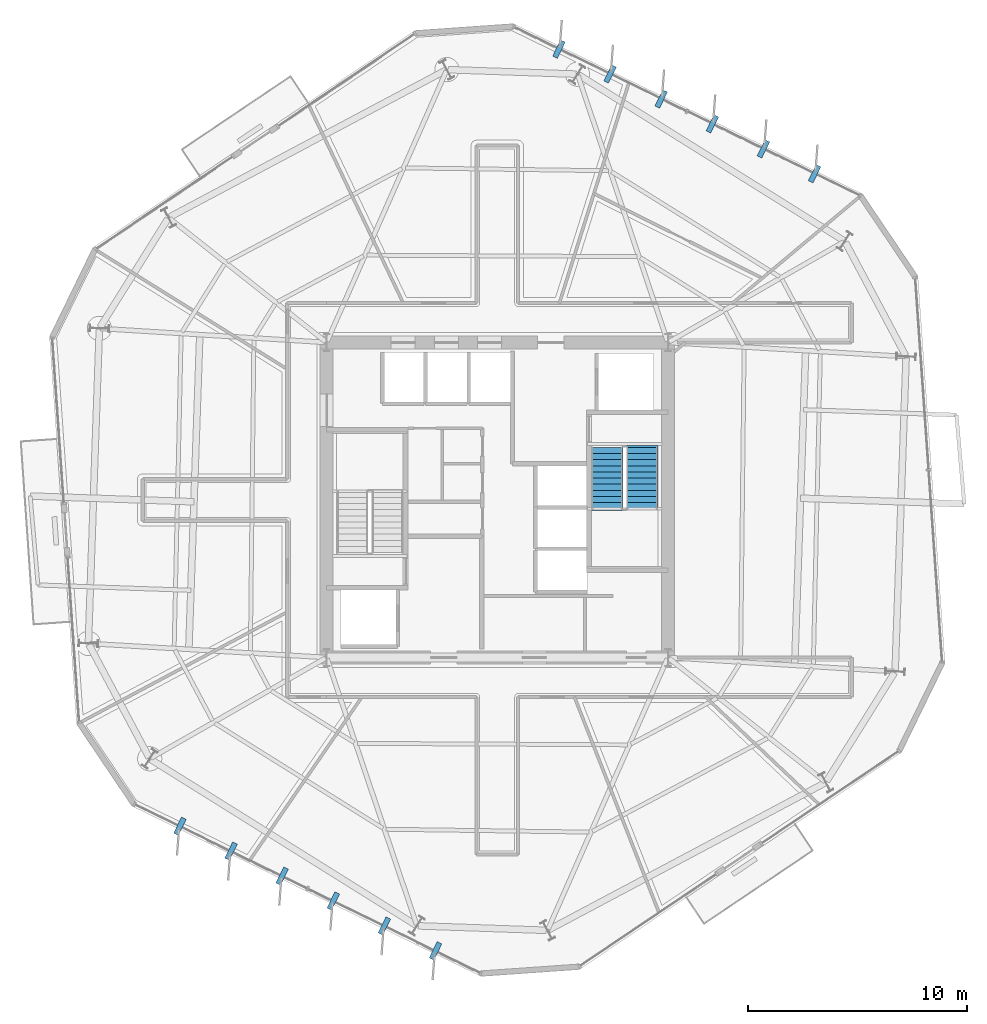
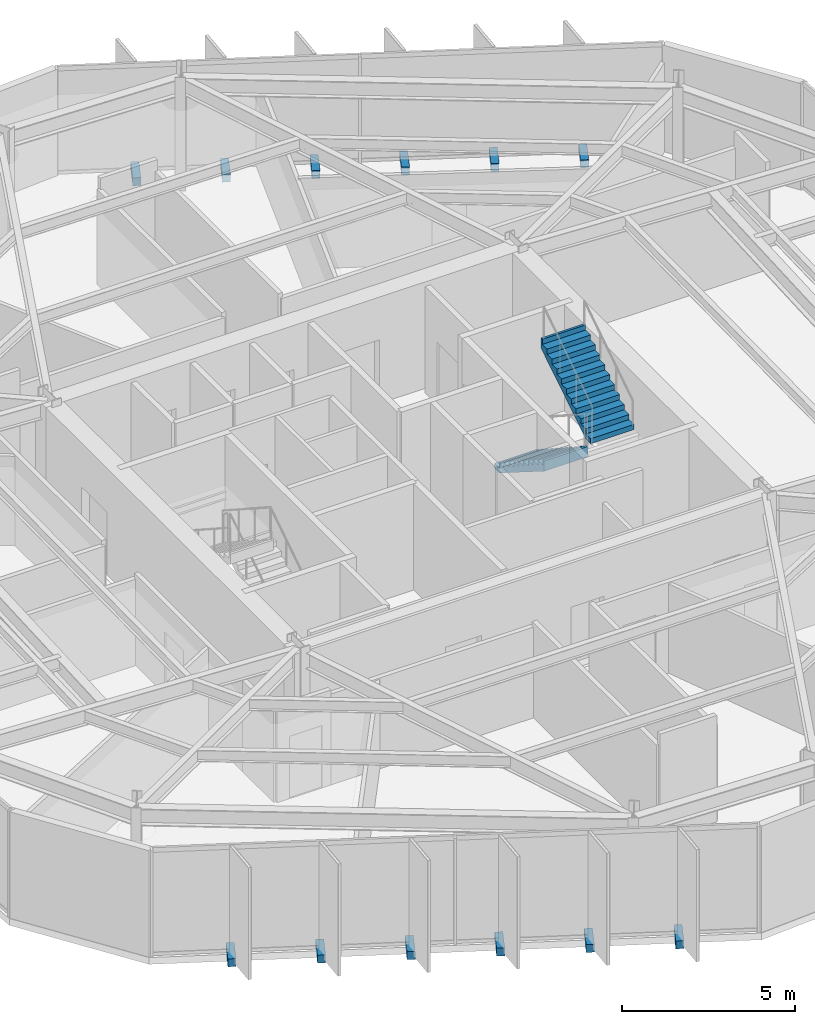
# One storey, part 9 of 14: 12 discrete accessories, 2 stair flights, 1 element without a shape of its own.
"""IFC4 building model written with IfcOpenShell, lengths in metres."""

from ifc_helpers import new_model, si_unit, direction, frame, origin, origin_2d, place, context, subcontext, project, spatial, polyline, rectangle, outline, extrude, material, type_object, element, aggregate, save


model = new_model("IFC4")

# Units and contexts
model_context = context("Model", 3, precision=1e-05, world=origin(), true_north=direction((0.0, 1.0)))
body_context = subcontext(model_context, "Body", "Model", "MODEL_VIEW")
ifc_project = project(units=[si_unit("LENGTHUNIT", "METRE"), si_unit("AREAUNIT", "SQUARE_METRE"), si_unit("VOLUMEUNIT", "CUBIC_METRE"), si_unit("PLANEANGLEUNIT", "RADIAN"), si_unit("MASSUNIT", "GRAM", prefix="KILO")], contexts=[model_context])

# Site, building, storey
site_placement = place(None, origin())
site = spatial("IfcSite", under=ifc_project, at=site_placement, CompositionType="ELEMENT")
building_placement = place(site_placement, origin())
building = spatial("IfcBuilding", under=site, at=building_placement, Name="Kranzbogen Civic Tower", CompositionType="ELEMENT")
storey_placement = place(building_placement, frame((0.0, 0.0, 158.39990234375)))
storey = spatial("IfcBuildingStorey", under=building, at=storey_placement, Name="L38", CompositionType="ELEMENT", Elevation=158.39990234375)

# Stair, stair flights
ifc_material_1 = material(Name="Precast concrete C40/50", Category="concrete")
stair_type = type_object("IfcStairType", Name="Tower Core Secondary Dogleg Stair 1450", PredefinedType="HALF_TURN_STAIR", material=ifc_material_1)
stair_placement = place(storey_placement, origin())
stair = element("IfcStair", 1, at=stair_placement, inside=storey, type_object=stair_type, Name="L38 Tower Core Pressurized Stair 2", PredefinedType="HALF_TURN_STAIR")
stair_flight_type = type_object("IfcStairFlightType", Name="Precast Concrete Stair Flight R180", PredefinedType="STRAIGHT", material=ifc_material_1)
stair_flight_1_placement = place(storey_placement, frame((30.02490234375, 27.39990234375, 0.0), z_axis=(0.0, 0.0, 1.0), x_axis=(0.0, -1.0, 0.0)))
stair_flight_1 = element("IfcStairFlight", 2, at=stair_flight_1_placement, type_object=stair_flight_type, Name="ST-T2 flight 1", NumberOfRisers=11, NumberOfTreads=10, PredefinedType="STRAIGHT", RiserHeight=0.181818182, TreadLength=0.28, context=body_context, shape_type="SweptSolid", body=[
    extrude(outline(polyline([(0.0, 0.0), (0.0, 0.181884765625), (0.280029296875, 0.181884765625), (0.280029296875, 0.363525390625), (0.56005859375, 0.363525390625), (0.56005859375, 0.54541015625), (0.840087890625, 0.54541015625), (0.840087890625, 0.727294921875), (1.1201171875, 0.727294921875), (1.1201171875, 0.9091796875), (1.39990234375, 0.9091796875), (1.39990234375, 1.0908203125), (1.679931640625, 1.0908203125), (1.679931640625, 1.272705078125), (1.9599609375, 1.272705078125), (1.9599609375, 1.45458984375), (2.239990234375, 1.45458984375), (2.239990234375, 1.636474609375), (2.52001953125, 1.636474609375), (2.52001953125, 1.818115234375), (2.800048828125, 1.818115234375), (2.800048828125, 2.0), (2.880126953125, 2.0), (2.880126953125, 1.639404296875), (0.275146484375, 0.0), (0.0, 0.0)])), frame((0.0, 0.72509765625, 0.0), z_axis=(0.0, -1.0, 0.0), x_axis=(1.0, 0.0, 0.0)), (0.0, 0.0, 1.0), 1.449951171875),
])
stair_flight_2_placement = place(storey_placement, frame((31.625, 24.60009765625, 2.0), z_axis=(0.0, 0.0, 1.0), x_axis=(0.0, 1.0, 0.0)))
stair_flight_2 = element("IfcStairFlight", 3, at=stair_flight_2_placement, type_object=stair_flight_type, Name="ST-T2 flight 2", NumberOfRisers=11, NumberOfTreads=10, PredefinedType="STRAIGHT", RiserHeight=0.181818182, TreadLength=0.28, context=body_context, shape_type="SweptSolid", body=[
    extrude(outline(polyline([(0.0, 0.0), (0.0, 0.181884765625), (0.280029296875, 0.181884765625), (0.280029296875, 0.363525390625), (0.56005859375, 0.363525390625), (0.56005859375, 0.54541015625), (0.840087890625, 0.54541015625), (0.840087890625, 0.727294921875), (1.1201171875, 0.727294921875), (1.1201171875, 0.9091796875), (1.39990234375, 0.9091796875), (1.39990234375, 1.0908203125), (1.679931640625, 1.0908203125), (1.679931640625, 1.272705078125), (1.9599609375, 1.272705078125), (1.9599609375, 1.45458984375), (2.239990234375, 1.45458984375), (2.239990234375, 1.636474609375), (2.52001953125, 1.636474609375), (2.52001953125, 1.818115234375), (2.800048828125, 1.818115234375), (2.800048828125, 2.0), (2.880126953125, 2.0), (2.880126953125, 1.639404296875), (0.275146484375, 0.0), (0.0, 0.0)])), frame((0.0, 0.72509765625, 0.0), z_axis=(0.0, -1.0, 0.0), x_axis=(1.0, 0.0, 0.0)), (0.0, 0.0, 1.0), 1.449951171875),
])
aggregate(stair, [stair_flight_1, stair_flight_2])

# Discrete accessories
ifc_material_2 = material(Name="Steel S355", Category="steel")
discrete_accessory_type = type_object("IfcDiscreteAccessoryType", Name="Structural Curtain-Wall Fin Support Bracket", PredefinedType="BRACKET", material=ifc_material_2)
for number, where, z_axis, x_axis, name in (
    (4, (39.50390625, 39.910888671875, -0.25), (0.0, 0.0, 1.0), (0.438371146789, 0.898794046299, 0.0), "L38 facade fin support bracket F1-1"),
    (5, (37.1669921875, 41.050048828125, -0.25), (0.0, 0.0, 1.0), (0.438371146789, 0.898794046299, 0.0), "L38 facade fin support bracket F1-2"),
    (6, (34.8310546875, 42.18994140625, -0.25), (0.0, 0.0, 1.0), (0.438371146789, 0.898794046299, 0.0), "L38 facade fin support bracket F1-3"),
    (7, (32.493896484375, 43.330078125, -0.25), (0.0, 0.0, 1.0), (0.438371146789, 0.898794046299, 0.0), "L38 facade fin support bracket F1-4"),
    (8, (30.156982421875, 44.469970703125, -0.25), (0.0, 0.0, 1.0), (0.438371146789, 0.898794046299, 0.0), "L38 facade fin support bracket F1-5"),
    (9, (27.820068359375, 45.610107421875, -0.25), (0.0, 0.0, 1.0), (0.438371146789, 0.898794046299, 0.0), "L38 facade fin support bracket F1-6"),
    (10, (10.49609375, 10.089111328125, -0.25), (0.0, 0.0, 1.0), (-0.438371146789, -0.898794046299, 0.0), "L38 facade fin support bracket F4-1"),
    (11, (12.8330078125, 8.949951171875, -0.25), (0.0, 0.0, 1.0), (-0.438371146789, -0.898794046299, 0.0), "L38 facade fin support bracket F4-2"),
    (12, (15.1689453125, 7.81005859375, -0.25), (0.0, 0.0, 1.0), (-0.438371146789, -0.898794046299, 0.0), "L38 facade fin support bracket F4-3"),
    (13, (17.506103515625, 6.669921875, -0.25), (0.0, 0.0, 1.0), (-0.438371146789, -0.898794046299, 0.0), "L38 facade fin support bracket F4-4"),
    (14, (19.843017578125, 5.530029296875, -0.25), (0.0, 0.0, 1.0), (-0.438371146789, -0.898794046299, 0.0), "L38 facade fin support bracket F4-5"),
    (15, (22.179931640625, 4.389892578125, -0.25), (0.0, 0.0, 1.0), (-0.438371146789, -0.898794046299, 0.0), "L38 facade fin support bracket F4-6"),
):
    element("IfcDiscreteAccessory", number, at=place(storey_placement, frame(where, z_axis=z_axis, x_axis=x_axis)), inside=storey, type_object=discrete_accessory_type, Name=name, PredefinedType="BRACKET", context=body_context, shape_type="SweptSolid", body=[
        extrude(rectangle(XDim=0.820068359375, YDim=0.239990234375, at=origin_2d()), origin(), (0.0, 0.0, 1.0), 0.280029296875),
    ])

save(model, "model.ifc")
